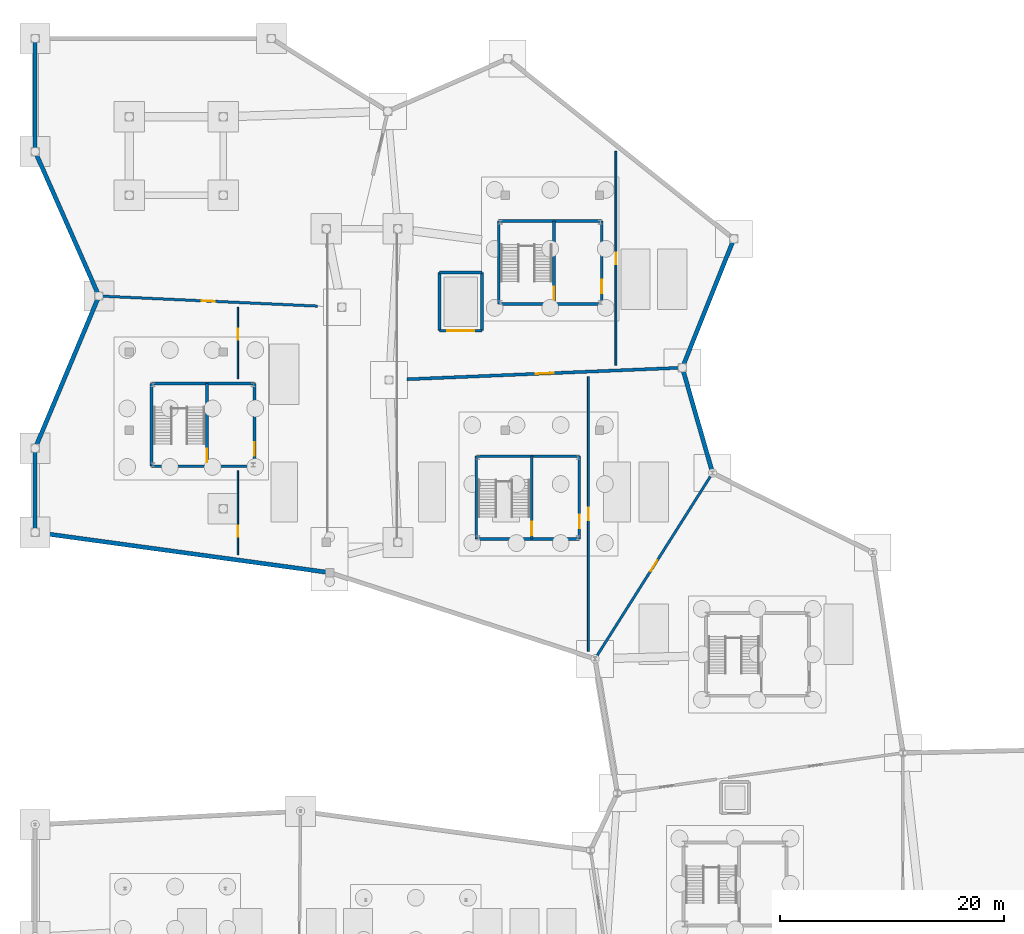
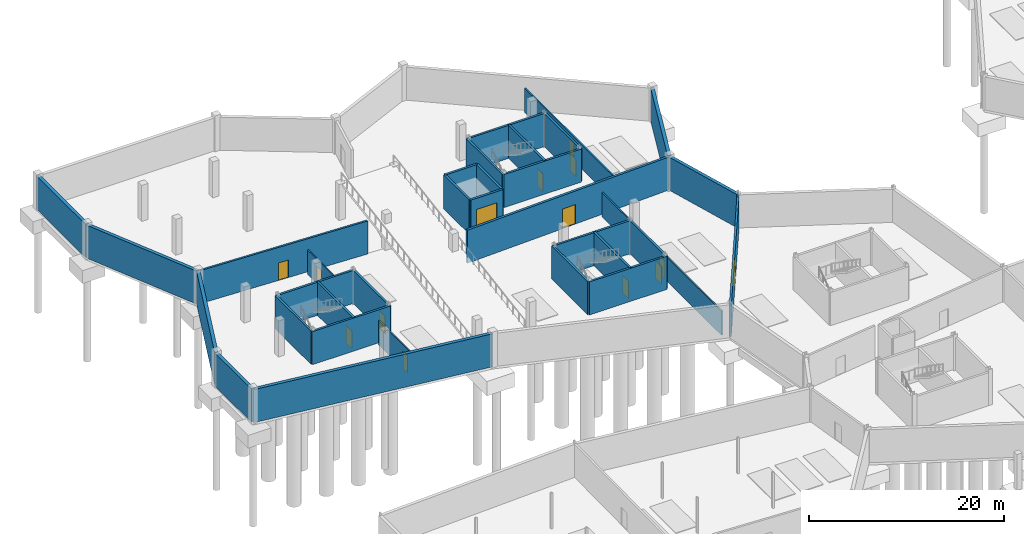
# One storey, part 28 of 37: 33 walls, 14 doors, 14 openings.
"""IFC4 building model written with IfcOpenShell, lengths in metres."""

from ifc_helpers import new_model, si_unit, direction, frame, frame_2d, origin, place, context, subcontext, project, spatial, rectangle, extrude, material, layer, layer_set, type_object, element, fill, save


model = new_model("IFC4")

# Units and contexts
model_context = context("Model", 3, precision=1e-05, world=origin(), true_north=direction((0.0, 1.0)))
body_context = subcontext(model_context, "Body", "Model", "MODEL_VIEW")
ifc_project = project(units=[si_unit("LENGTHUNIT", "METRE"), si_unit("AREAUNIT", "SQUARE_METRE"), si_unit("VOLUMEUNIT", "CUBIC_METRE"), si_unit("PLANEANGLEUNIT", "RADIAN"), si_unit("MASSUNIT", "GRAM", prefix="KILO")], contexts=[model_context])

# Site, building, storey
site_placement = place(None, origin())
site = spatial("IfcSite", under=ifc_project, at=site_placement, CompositionType="ELEMENT")
building_placement = place(site_placement, origin())
building = spatial("IfcBuilding", under=site, at=building_placement, Name="Tameran Prism Museum", CompositionType="ELEMENT")
storey_placement = place(building_placement, frame((0.0, 0.0, -4.5)))
storey = spatial("IfcBuildingStorey", under=building, at=storey_placement, Name="B1", CompositionType="ELEMENT", Elevation=-4.5)

# Walls
ifc_material_1 = material(Name="Concrete N40 (40 MPa)", Category="concrete")
ifc_layer_1 = layer(ifc_material_1, 0.3798828125)
ifc_layer_set_1 = layer_set([ifc_layer_1])
wall_type_1 = type_object("IfcWallType", Name="EW-RET-380", PredefinedType="USERDEFINED", material=ifc_layer_set_1)
wall_1_placement = place(storey_placement, frame((60.486083984375, 73.248046875, 0.0), z_axis=(0.0, 0.0, 1.0), x_axis=(-0.27604330243, 0.961145199844, 0.0)))
element("IfcWall", 1, at=wall_1_placement, inside=storey, type_object=wall_type_1, Name="Basement Retaining Wall RW-050", ObjectType="RETAININGWALL", PredefinedType="USERDEFINED", context=body_context, shape_type="SweptSolid", body=[
    extrude(rectangle(XDim=9.68017578125, YDim=0.3798828125, at=frame_2d((4.840087890625, 0.0))), origin(), (0.0, 0.0, 1.0), 4.139892578125),
])
wall_2_placement = place(storey_placement, frame((57.819091796875, 82.64599609375, 0.0), z_axis=(0.0, 0.0, 1.0), x_axis=(0.371332668442, 0.928499891948, 0.0)))
element("IfcWall", 2, at=wall_2_placement, inside=storey, type_object=wall_type_1, Name="Basement Retaining Wall RW-052", ObjectType="RETAININGWALL", PredefinedType="USERDEFINED", context=body_context, shape_type="SweptSolid", body=[
    extrude(rectangle(XDim=12.336181640625, YDim=0.3798828125, at=frame_2d((6.16796875, 0.0))), origin(), (0.0, 0.0, 1.0), 4.139892578125),
])
wall_3_placement = place(storey_placement, frame((0.0, 75.39990234375, 0.0), z_axis=(0.0, 0.0, 1.0), x_axis=(0.0, -1.0, 0.0)))
element("IfcWall", 3, at=wall_3_placement, inside=storey, type_object=wall_type_1, Name="Basement Retaining Wall RW-055", ObjectType="RETAININGWALL", PredefinedType="USERDEFINED", context=body_context, shape_type="SweptSolid", body=[
    extrude(rectangle(XDim=7.5, YDim=0.3798828125, at=frame_2d((3.75, 0.0))), origin(), (0.0, 0.0, 1.0), 4.139892578125),
])
wall_4_placement = place(storey_placement, frame((0.0, 67.89990234375, 0.0), z_axis=(0.0, 0.0, 1.0), x_axis=(0.990762647393, -0.135607435379, 0.0)))
element("IfcWall", 4, at=wall_4_placement, inside=storey, type_object=wall_type_1, Name="Basement Retaining Wall RW-056", ObjectType="RETAININGWALL", PredefinedType="USERDEFINED", context=body_context, shape_type="SweptSolid", body=[
    extrude(rectangle(XDim=26.49560546875, YDim=0.3798828125, at=frame_2d((13.247802734375, 0.0))), origin(), (0.0, 0.0, 1.0), 4.139892578125),
])
wall_5_placement = place(storey_placement, frame((5.680908203125, 88.9541015625, 0.0), z_axis=(0.0, 0.0, 1.0), x_axis=(-0.386546655602, -0.922269853699, 0.0)))
element("IfcWall", 5, at=wall_5_placement, inside=storey, type_object=wall_type_1, Name="Basement Retaining Wall RW-057", ObjectType="RETAININGWALL", PredefinedType="USERDEFINED", context=body_context, shape_type="SweptSolid", body=[
    extrude(rectangle(XDim=14.696533203125, YDim=0.3798828125, at=frame_2d((7.34814453125, 0.0))), origin(), (0.0, 0.0, 1.0), 4.139892578125),
])
wall_6_placement = place(storey_placement, frame((0.0, 112.0, 0.0), z_axis=(0.0, 0.0, 1.0), x_axis=(0.0, -1.0, 0.0)))
element("IfcWall", 6, at=wall_6_placement, inside=storey, type_object=wall_type_1, Name="Basement Retaining Wall RW-060", ObjectType="RETAININGWALL", PredefinedType="USERDEFINED", context=body_context, shape_type="SweptSolid", body=[
    extrude(rectangle(XDim=10.10009765625, YDim=0.3798828125, at=frame_2d((5.050048828125, 0.0))), origin(), (0.0, 0.0, 1.0), 4.139892578125),
])
wall_7_placement = place(storey_placement, frame((0.0, 101.89990234375, 0.0), z_axis=(0.0, 0.0, 1.0), x_axis=(0.404179059324, -0.914679882803, 0.0)))
element("IfcWall", 7, at=wall_7_placement, inside=storey, type_object=wall_type_1, Name="Basement Retaining Wall RW-061", ObjectType="RETAININGWALL", PredefinedType="USERDEFINED", context=body_context, shape_type="SweptSolid", body=[
    extrude(rectangle(XDim=14.052978515625, YDim=0.3798828125, at=frame_2d((7.0263671875, 0.0))), origin(), (0.0, 0.0, 1.0), 4.139892578125),
])

# Wall, opening, door
ifc_material_2 = material(Name="Concrete N40 (40 MPa)", Category="concrete")
ifc_layer_2 = layer(ifc_material_2, 0.22509765625)
ifc_layer_set_2 = layer_set([ifc_layer_2])
wall_type_2 = type_object("IfcWallType", Name="IW-CMP-225", PredefinedType="SOLIDWALL", material=ifc_layer_set_2)
wall_8_placement = place(storey_placement, frame((60.5, 73.199951171875, 0.0), z_axis=(0.0, 0.0, 1.0), x_axis=(-0.534570878454, -0.845123645338, 0.0)))
wall_8 = element("IfcWall", 8, at=wall_8_placement, inside=storey, type_object=wall_type_2, Name="Compartment Wall IW-0011", PredefinedType="SOLIDWALL", context=body_context, shape_type="SweptSolid", body=[
    extrude(rectangle(XDim=19.641845703125, YDim=0.22509765625, at=frame_2d((9.82080078125, 0.0))), origin(), (0.0, 0.0, 1.0), 4.139892578125),
])
opening_1_placement = place(wall_8_placement, frame((9.24609375, 0.0, 0.0)))
opening_1 = element("IfcOpeningElement", 9, at=opening_1_placement, cuts=wall_8, Name="Opening ID-0011", PredefinedType="OPENING", context=body_context, shape_type="SweptSolid", body=[
    extrude(rectangle(XDim=1.14990234375, YDim=2.199951171875, at=frame_2d((0.574951171875, 1.10009765625))), frame((0.0, 0.12255859375, 0.0), z_axis=(0.0, -1.0, 0.0), x_axis=(1.0, 0.0, 0.0)), (0.0, 0.0, 1.0), 0.2451171875),
])
ifc_material_3 = material(Name="Fire-Rated Steel Door Leaf and Frame", Category="steel")
door_type_1 = type_object("IfcDoorType", Name="DR-FD-120B", OperationType="NOTDEFINED", PredefinedType="DOOR", material=ifc_material_3)
door_1_placement = place(opening_1_placement, origin())
door_1 = element("IfcDoor", 10, at=door_1_placement, inside=storey, type_object=door_type_1, Name="Compartment Door ID-0011", OperationType="SINGLE_SWING_RIGHT", OverallHeight=2.199951171875, OverallWidth=1.14990234375, PredefinedType="DOOR", context=body_context, shape_type="SweptSolid", body=[
    extrude(rectangle(XDim=1.14990234375, YDim=2.199951171875, at=frame_2d((0.574951171875, 1.10009765625))), frame((0.0, 0.02490234375, 0.0), z_axis=(0.0, -1.0, 0.0), x_axis=(1.0, 0.0, 0.0)), (0.0, 0.0, 1.0), 0.050048828125),
])
fill(opening_1, door_1)

wall_9_placement = place(storey_placement, frame((25.199951171875, 88.10107421875, 0.0), z_axis=(0.0, 0.0, 1.0), x_axis=(-0.998939142773, 0.046049853812, 0.0)))
wall_9 = element("IfcWall", 11, at=wall_9_placement, inside=storey, type_object=wall_type_2, Name="Compartment Wall IW-0022", PredefinedType="SOLIDWALL", context=body_context, shape_type="SweptSolid", body=[
    extrude(rectangle(XDim=19.520751953125, YDim=0.22509765625, at=frame_2d((9.76025390625, 0.0))), origin(), (0.0, 0.0, 1.0), 4.139892578125),
])
opening_2_placement = place(wall_9_placement, frame((9.18505859375, 0.0, 0.0)))
opening_2 = element("IfcOpeningElement", 12, at=opening_2_placement, cuts=wall_9, Name="Opening ID-0021", PredefinedType="OPENING", context=body_context, shape_type="SweptSolid", body=[
    extrude(rectangle(XDim=1.14990234375, YDim=2.199951171875, at=frame_2d((0.574951171875, 1.10009765625))), frame((0.0, 0.12255859375, 0.0), z_axis=(0.0, -1.0, 0.0), x_axis=(1.0, 0.0, 0.0)), (0.0, 0.0, 1.0), 0.2451171875),
])
door_2_placement = place(opening_2_placement, origin())
door_2 = element("IfcDoor", 13, at=door_2_placement, inside=storey, type_object=door_type_1, Name="Compartment Door ID-0021", OperationType="SINGLE_SWING_RIGHT", OverallHeight=2.199951171875, OverallWidth=1.14990234375, PredefinedType="DOOR", context=body_context, shape_type="SweptSolid", body=[
    extrude(rectangle(XDim=1.14990234375, YDim=2.199951171875, at=frame_2d((0.574951171875, 1.10009765625))), frame((0.0, 0.02490234375, 0.0), z_axis=(0.0, -1.0, 0.0), x_axis=(1.0, 0.0, 0.0)), (0.0, 0.0, 1.0), 0.050048828125),
])
fill(opening_2, door_2)

ifc_material_4 = material(Name="Concrete N40 (40 MPa)", Category="concrete")
ifc_layer_3 = layer(ifc_material_4, 0.27490234375)
ifc_layer_set_3 = layer_set([ifc_layer_3])
wall_type_3 = type_object("IfcWallType", Name="IW-CMP-275", PredefinedType="SOLIDWALL", material=ifc_layer_set_3)
wall_10_placement = place(storey_placement, frame((57.800048828125, 82.60009765625, 0.0), z_axis=(0.0, 0.0, 1.0), x_axis=(-0.999119166836, -0.041962965345, 0.0)))
wall_10 = element("IfcWall", 14, at=wall_10_placement, inside=storey, type_object=wall_type_3, Name="Compartment Wall IW-0020", PredefinedType="SOLIDWALL", context=body_context, shape_type="SweptSolid", body=[
    extrude(rectangle(XDim=24.621826171875, YDim=0.27490234375, at=frame_2d((12.31103515625, 0.0))), origin(), (0.0, 0.0, 1.0), 4.139892578125),
])
opening_3_placement = place(wall_10_placement, frame((11.510986328125, 0.0, 0.0)))
opening_3 = element("IfcOpeningElement", 15, at=opening_3_placement, cuts=wall_10, Name="Opening ID-0019", PredefinedType="OPENING", context=body_context, shape_type="SweptSolid", body=[
    extrude(rectangle(XDim=1.60009765625, YDim=2.449951171875, at=frame_2d((0.800048828125, 1.22509765625))), frame((0.0, 0.1474609375, 0.0), z_axis=(0.0, -1.0, 0.0), x_axis=(1.0, 0.0, 0.0)), (0.0, 0.0, 1.0), 0.294921875),
])
ifc_material_5 = material(Name="Fire-Rated Steel Door Leaf and Frame", Category="steel")
door_type_2 = type_object("IfcDoorType", Name="DR-FD-240", OperationType="DOUBLE_DOOR_SINGLE_SWING", PredefinedType="DOOR", material=ifc_material_5)
door_3_placement = place(opening_3_placement, origin())
door_3 = element("IfcDoor", 16, at=door_3_placement, inside=storey, type_object=door_type_2, Name="Compartment Door ID-0019", OperationType="DOUBLE_DOOR_SINGLE_SWING", OverallHeight=2.449951171875, OverallWidth=1.60009765625, PredefinedType="DOOR", context=body_context, shape_type="SweptSolid", body=[
    extrude(rectangle(XDim=1.60009765625, YDim=2.449951171875, at=frame_2d((0.800048828125, 1.22509765625))), frame((0.0, 0.02490234375, 0.0), z_axis=(0.0, -1.0, 0.0), x_axis=(1.0, 0.0, 0.0)), (0.0, 0.0, 1.0), 0.050048828125),
])
fill(opening_3, door_3)

# Walls
ifc_material_6 = material(Name="Concrete N40 (40 MPa)", Category="concrete")
ifc_layer_4 = layer(ifc_material_6, 0.25)
ifc_layer_set_4 = layer_set([ifc_layer_4])
wall_type_4 = type_object("IfcWallType", Name="IW-COR-250", PredefinedType="SHEAR", material=ifc_layer_set_4)
wall_11_placement = place(storey_placement, frame((39.39990234375, 67.300048828125, 0.0), z_axis=(0.0, 0.0, 1.0), x_axis=(0.0, 1.0, 0.0)))
element("IfcWall", 17, at=wall_11_placement, inside=storey, type_object=wall_type_4, Name="Core Shear Wall CW-5-B1-W", PredefinedType="SHEAR", context=body_context, shape_type="SweptSolid", body=[
    extrude(rectangle(XDim=7.39990234375, YDim=0.25, at=frame_2d((3.699951171875, 0.0))), origin(), (0.0, 0.0, 1.0), 4.139892578125),
])
for number, where, z_axis, x_axis, name in (
    (18, (39.39990234375, 74.699951171875, 0.0), (0.0, 0.0, 1.0), (1.0, 0.0, 0.0), "Core Shear Wall CW-5-B1-N"),
    (19, (48.60009765625, 67.300048828125, 0.0), (0.0, 0.0, 1.0), (-1.0, 0.0, 0.0), "Core Shear Wall CW-5-B1-S"),
):
    element("IfcWall", number, at=place(storey_placement, frame(where, z_axis=z_axis, x_axis=x_axis)), inside=storey, type_object=wall_type_4, Name=name, PredefinedType="SHEAR", context=body_context, shape_type="SweptSolid", body=[
        extrude(rectangle(XDim=9.2001953125, YDim=0.25, at=frame_2d((4.60009765625, 0.0))), origin(), (0.0, 0.0, 1.0), 4.139892578125),
    ])

# Wall, opening, door
wall_12_placement = place(storey_placement, frame((48.60009765625, 74.699951171875, 0.0), z_axis=(0.0, 0.0, 1.0), x_axis=(0.0, -1.0, 0.0)))
wall_12 = element("IfcWall", 20, at=wall_12_placement, inside=storey, type_object=wall_type_4, Name="Core Shear Wall CW-5-B1-E", PredefinedType="SHEAR", context=body_context, shape_type="SweptSolid", body=[
    extrude(rectangle(XDim=7.39990234375, YDim=0.25, at=frame_2d((3.699951171875, 0.0))), origin(), (0.0, 0.0, 1.0), 4.139892578125),
])
opening_4_placement = place(wall_12_placement, frame((5.25, 0.0, 0.0)))
opening_4 = element("IfcOpeningElement", 21, at=opening_4_placement, cuts=wall_12, Name="Opening FD-0243", PredefinedType="OPENING", context=body_context, shape_type="SweptSolid", body=[
    extrude(rectangle(XDim=1.199951171875, YDim=2.199951171875, at=frame_2d((0.60009765625, 1.10009765625))), frame((0.0, 0.135009765625, 0.0), z_axis=(0.0, -1.0, 0.0), x_axis=(1.0, 0.0, 0.0)), (0.0, 0.0, 1.0), 0.27001953125),
])
ifc_material_7 = material(Name="Fire-Rated Steel Door Leaf and Frame", Category="steel")
door_type_3 = type_object("IfcDoorType", Name="DR-FD-120A", OperationType="NOTDEFINED", PredefinedType="DOOR", material=ifc_material_7)
door_4_placement = place(opening_4_placement, origin())
door_4 = element("IfcDoor", 22, at=door_4_placement, inside=storey, type_object=door_type_3, Name="Core Fire Door FD-0243", OperationType="SINGLE_SWING_LEFT", OverallHeight=2.199951171875, OverallWidth=1.199951171875, PredefinedType="DOOR", context=body_context, shape_type="SweptSolid", body=[
    extrude(rectangle(XDim=1.199951171875, YDim=2.199951171875, at=frame_2d((0.60009765625, 1.10009765625))), frame((0.0, 0.02490234375, 0.0), z_axis=(0.0, -1.0, 0.0), x_axis=(1.0, 0.0, 0.0)), (0.0, 0.0, 1.0), 0.050048828125),
])
fill(opening_4, door_4)

wall_13_placement = place(storey_placement, frame((44.35009765625, 74.699951171875, 0.0), z_axis=(0.0, 0.0, 1.0), x_axis=(0.0, -1.0, 0.0)))
wall_13 = element("IfcWall", 23, at=wall_13_placement, inside=storey, type_object=wall_type_4, Name="Core Shear Wall CW-5-B1-M", PredefinedType="SHEAR", context=body_context, shape_type="SweptSolid", body=[
    extrude(rectangle(XDim=7.39990234375, YDim=0.25, at=frame_2d((3.699951171875, 0.0))), origin(), (0.0, 0.0, 1.0), 4.139892578125),
])
opening_5_placement = place(wall_13_placement, frame((5.85009765625, 0.0, 0.0)))
opening_5 = element("IfcOpeningElement", 24, at=opening_5_placement, cuts=wall_13, Name="Opening FD-0244", PredefinedType="OPENING", context=body_context, shape_type="SweptSolid", body=[
    extrude(rectangle(XDim=1.199951171875, YDim=2.199951171875, at=frame_2d((0.60009765625, 1.10009765625))), frame((0.0, 0.135009765625, 0.0), z_axis=(0.0, -1.0, 0.0), x_axis=(1.0, 0.0, 0.0)), (0.0, 0.0, 1.0), 0.27001953125),
])
door_5_placement = place(opening_5_placement, origin())
door_5 = element("IfcDoor", 25, at=door_5_placement, inside=storey, type_object=door_type_3, Name="Core Fire Door FD-0244", OperationType="SINGLE_SWING_RIGHT", OverallHeight=2.199951171875, OverallWidth=1.199951171875, PredefinedType="DOOR", context=body_context, shape_type="SweptSolid", body=[
    extrude(rectangle(XDim=1.199951171875, YDim=2.199951171875, at=frame_2d((0.60009765625, 1.10009765625))), frame((0.0, 0.02490234375, 0.0), z_axis=(0.0, -1.0, 0.0), x_axis=(1.0, 0.0, 0.0)), (0.0, 0.0, 1.0), 0.050048828125),
])
fill(opening_5, door_5)

# Walls
wall_14_placement = place(storey_placement, frame((10.39990234375, 73.800048828125, 0.0), z_axis=(0.0, 0.0, 1.0), x_axis=(0.0, 1.0, 0.0)))
element("IfcWall", 26, at=wall_14_placement, inside=storey, type_object=wall_type_4, Name="Core Shear Wall CW-9-B1-W", PredefinedType="SHEAR", context=body_context, shape_type="SweptSolid", body=[
    extrude(rectangle(XDim=7.39990234375, YDim=0.25, at=frame_2d((3.699951171875, 0.0))), origin(), (0.0, 0.0, 1.0), 4.139892578125),
])
for number, where, z_axis, x_axis, name in (
    (27, (10.39990234375, 81.199951171875, 0.0), (0.0, 0.0, 1.0), (1.0, 0.0, 0.0), "Core Shear Wall CW-9-B1-N"),
    (28, (19.60009765625, 73.800048828125, 0.0), (0.0, 0.0, 1.0), (-1.0, 0.0, 0.0), "Core Shear Wall CW-9-B1-S"),
):
    element("IfcWall", number, at=place(storey_placement, frame(where, z_axis=z_axis, x_axis=x_axis)), inside=storey, type_object=wall_type_4, Name=name, PredefinedType="SHEAR", context=body_context, shape_type="SweptSolid", body=[
        extrude(rectangle(XDim=9.2001953125, YDim=0.25, at=frame_2d((4.60009765625, 0.0))), origin(), (0.0, 0.0, 1.0), 4.139892578125),
    ])

# Wall, opening, door
wall_15_placement = place(storey_placement, frame((19.60009765625, 81.199951171875, 0.0), z_axis=(0.0, 0.0, 1.0), x_axis=(0.0, -1.0, 0.0)))
wall_15 = element("IfcWall", 29, at=wall_15_placement, inside=storey, type_object=wall_type_4, Name="Core Shear Wall CW-9-B1-E", PredefinedType="SHEAR", context=body_context, shape_type="SweptSolid", body=[
    extrude(rectangle(XDim=7.39990234375, YDim=0.25, at=frame_2d((3.699951171875, 0.0))), origin(), (0.0, 0.0, 1.0), 4.139892578125),
])
opening_6_placement = place(wall_15_placement, frame((5.25, 0.0, 0.0)))
opening_6 = element("IfcOpeningElement", 30, at=opening_6_placement, cuts=wall_15, Name="Opening FD-0259", PredefinedType="OPENING", context=body_context, shape_type="SweptSolid", body=[
    extrude(rectangle(XDim=1.199951171875, YDim=2.199951171875, at=frame_2d((0.60009765625, 1.10009765625))), frame((0.0, 0.135009765625, 0.0), z_axis=(0.0, -1.0, 0.0), x_axis=(1.0, 0.0, 0.0)), (0.0, 0.0, 1.0), 0.27001953125),
])
door_6_placement = place(opening_6_placement, origin())
door_6 = element("IfcDoor", 31, at=door_6_placement, inside=storey, type_object=door_type_3, Name="Core Fire Door FD-0259", OperationType="SINGLE_SWING_LEFT", OverallHeight=2.199951171875, OverallWidth=1.199951171875, PredefinedType="DOOR", context=body_context, shape_type="SweptSolid", body=[
    extrude(rectangle(XDim=1.199951171875, YDim=2.199951171875, at=frame_2d((0.60009765625, 1.10009765625))), frame((0.0, 0.02490234375, 0.0), z_axis=(0.0, -1.0, 0.0), x_axis=(1.0, 0.0, 0.0)), (0.0, 0.0, 1.0), 0.050048828125),
])
fill(opening_6, door_6)

wall_16_placement = place(storey_placement, frame((15.35009765625, 81.199951171875, 0.0), z_axis=(0.0, 0.0, 1.0), x_axis=(0.0, -1.0, 0.0)))
wall_16 = element("IfcWall", 32, at=wall_16_placement, inside=storey, type_object=wall_type_4, Name="Core Shear Wall CW-9-B1-M", PredefinedType="SHEAR", context=body_context, shape_type="SweptSolid", body=[
    extrude(rectangle(XDim=7.39990234375, YDim=0.25, at=frame_2d((3.699951171875, 0.0))), origin(), (0.0, 0.0, 1.0), 4.139892578125),
])
opening_7_placement = place(wall_16_placement, frame((5.85009765625, 0.0, 0.0)))
opening_7 = element("IfcOpeningElement", 33, at=opening_7_placement, cuts=wall_16, Name="Opening FD-0260", PredefinedType="OPENING", context=body_context, shape_type="SweptSolid", body=[
    extrude(rectangle(XDim=1.199951171875, YDim=2.199951171875, at=frame_2d((0.60009765625, 1.10009765625))), frame((0.0, 0.135009765625, 0.0), z_axis=(0.0, -1.0, 0.0), x_axis=(1.0, 0.0, 0.0)), (0.0, 0.0, 1.0), 0.27001953125),
])
door_7_placement = place(opening_7_placement, origin())
door_7 = element("IfcDoor", 34, at=door_7_placement, inside=storey, type_object=door_type_3, Name="Core Fire Door FD-0260", OperationType="SINGLE_SWING_RIGHT", OverallHeight=2.199951171875, OverallWidth=1.199951171875, PredefinedType="DOOR", context=body_context, shape_type="SweptSolid", body=[
    extrude(rectangle(XDim=1.199951171875, YDim=2.199951171875, at=frame_2d((0.60009765625, 1.10009765625))), frame((0.0, 0.02490234375, 0.0), z_axis=(0.0, -1.0, 0.0), x_axis=(1.0, 0.0, 0.0)), (0.0, 0.0, 1.0), 0.050048828125),
])
fill(opening_7, door_7)

# Walls
wall_17_placement = place(storey_placement, frame((41.39990234375, 88.300048828125, 0.0), z_axis=(0.0, 0.0, 1.0), x_axis=(0.0, 1.0, 0.0)))
element("IfcWall", 35, at=wall_17_placement, inside=storey, type_object=wall_type_4, Name="Core Shear Wall CW-14-B1-W", PredefinedType="SHEAR", context=body_context, shape_type="SweptSolid", body=[
    extrude(rectangle(XDim=7.39990234375, YDim=0.25, at=frame_2d((3.699951171875, 0.0))), origin(), (0.0, 0.0, 1.0), 4.139892578125),
])
for number, where, z_axis, x_axis, name in (
    (36, (41.39990234375, 95.699951171875, 0.0), (0.0, 0.0, 1.0), (1.0, 0.0, 0.0), "Core Shear Wall CW-14-B1-N"),
    (37, (50.60009765625, 88.300048828125, 0.0), (0.0, 0.0, 1.0), (-1.0, 0.0, 0.0), "Core Shear Wall CW-14-B1-S"),
):
    element("IfcWall", number, at=place(storey_placement, frame(where, z_axis=z_axis, x_axis=x_axis)), inside=storey, type_object=wall_type_4, Name=name, PredefinedType="SHEAR", context=body_context, shape_type="SweptSolid", body=[
        extrude(rectangle(XDim=9.2001953125, YDim=0.25, at=frame_2d((4.60009765625, 0.0))), origin(), (0.0, 0.0, 1.0), 4.139892578125),
    ])

# Wall, opening, door
wall_18_placement = place(storey_placement, frame((50.60009765625, 95.699951171875, 0.0), z_axis=(0.0, 0.0, 1.0), x_axis=(0.0, -1.0, 0.0)))
wall_18 = element("IfcWall", 38, at=wall_18_placement, inside=storey, type_object=wall_type_4, Name="Core Shear Wall CW-14-B1-E", PredefinedType="SHEAR", context=body_context, shape_type="SweptSolid", body=[
    extrude(rectangle(XDim=7.39990234375, YDim=0.25, at=frame_2d((3.699951171875, 0.0))), origin(), (0.0, 0.0, 1.0), 4.139892578125),
])
opening_8_placement = place(wall_18_placement, frame((5.25, 0.0, 0.0)))
opening_8 = element("IfcOpeningElement", 39, at=opening_8_placement, cuts=wall_18, Name="Opening FD-0287", PredefinedType="OPENING", context=body_context, shape_type="SweptSolid", body=[
    extrude(rectangle(XDim=1.199951171875, YDim=2.199951171875, at=frame_2d((0.60009765625, 1.10009765625))), frame((0.0, 0.135009765625, 0.0), z_axis=(0.0, -1.0, 0.0), x_axis=(1.0, 0.0, 0.0)), (0.0, 0.0, 1.0), 0.27001953125),
])
door_8_placement = place(opening_8_placement, origin())
door_8 = element("IfcDoor", 40, at=door_8_placement, inside=storey, type_object=door_type_3, Name="Core Fire Door FD-0287", OperationType="SINGLE_SWING_LEFT", OverallHeight=2.199951171875, OverallWidth=1.199951171875, PredefinedType="DOOR", context=body_context, shape_type="SweptSolid", body=[
    extrude(rectangle(XDim=1.199951171875, YDim=2.199951171875, at=frame_2d((0.60009765625, 1.10009765625))), frame((0.0, 0.02490234375, 0.0), z_axis=(0.0, -1.0, 0.0), x_axis=(1.0, 0.0, 0.0)), (0.0, 0.0, 1.0), 0.050048828125),
])
fill(opening_8, door_8)

wall_19_placement = place(storey_placement, frame((46.35009765625, 95.699951171875, 0.0), z_axis=(0.0, 0.0, 1.0), x_axis=(0.0, -1.0, 0.0)))
wall_19 = element("IfcWall", 41, at=wall_19_placement, inside=storey, type_object=wall_type_4, Name="Core Shear Wall CW-14-B1-M", PredefinedType="SHEAR", context=body_context, shape_type="SweptSolid", body=[
    extrude(rectangle(XDim=7.39990234375, YDim=0.25, at=frame_2d((3.699951171875, 0.0))), origin(), (0.0, 0.0, 1.0), 4.139892578125),
])
opening_9_placement = place(wall_19_placement, frame((5.85009765625, 0.0, 0.0)))
opening_9 = element("IfcOpeningElement", 42, at=opening_9_placement, cuts=wall_19, Name="Opening FD-0288", PredefinedType="OPENING", context=body_context, shape_type="SweptSolid", body=[
    extrude(rectangle(XDim=1.199951171875, YDim=2.199951171875, at=frame_2d((0.60009765625, 1.10009765625))), frame((0.0, 0.135009765625, 0.0), z_axis=(0.0, -1.0, 0.0), x_axis=(1.0, 0.0, 0.0)), (0.0, 0.0, 1.0), 0.27001953125),
])
door_9_placement = place(opening_9_placement, origin())
door_9 = element("IfcDoor", 43, at=door_9_placement, inside=storey, type_object=door_type_3, Name="Core Fire Door FD-0288", OperationType="SINGLE_SWING_RIGHT", OverallHeight=2.199951171875, OverallWidth=1.199951171875, PredefinedType="DOOR", context=body_context, shape_type="SweptSolid", body=[
    extrude(rectangle(XDim=1.199951171875, YDim=2.199951171875, at=frame_2d((0.60009765625, 1.10009765625))), frame((0.0, 0.02490234375, 0.0), z_axis=(0.0, -1.0, 0.0), x_axis=(1.0, 0.0, 0.0)), (0.0, 0.0, 1.0), 0.050048828125),
])
fill(opening_9, door_9)

ifc_material_8 = material(Name="Acoustic Seminar Stud Partition")
ifc_layer_5 = layer(ifc_material_8, 0.139892578125)
ifc_layer_set_5 = layer_set([ifc_layer_5])
wall_type_5 = type_object("IfcWallType", Name="IW-PRT-140", PredefinedType="PARTITIONING", material=ifc_layer_set_5)
wall_20_placement = place(storey_placement, frame((18.10595703125, 81.60009765625, 0.0), z_axis=(0.0, 0.0, 1.0), x_axis=(0.0, 1.0, 0.0)))
wall_20 = element("IfcWall", 44, at=wall_20_placement, inside=storey, type_object=wall_type_5, Name="Internal Partition PT-0028", PredefinedType="PARTITIONING", context=body_context, shape_type="SweptSolid", body=[
    extrude(rectangle(XDim=6.3779296875, YDim=0.139892578125, at=frame_2d((3.18896484375, 0.0))), origin(), (0.0, 0.0, 1.0), 3.02001953125),
])
opening_10_placement = place(wall_20_placement, frame((3.509033203125, 0.0, 0.0)))
opening_10 = element("IfcOpeningElement", 45, at=opening_10_placement, cuts=wall_20, Name="Opening ID-0027", PredefinedType="OPENING", context=body_context, shape_type="SweptSolid", body=[
    extrude(rectangle(XDim=0.97998046875, YDim=2.14990234375, at=frame_2d((0.489990234375, 1.074951171875))), frame((0.0, 0.079833984375, 0.0), z_axis=(0.0, -1.0, 0.0), x_axis=(1.0, 0.0, 0.0)), (0.0, 0.0, 1.0), 0.159912109375),
])
ifc_material_9 = material(Name="Acoustic Solid-Core Timber Door", Category="wood")
door_type_4 = type_object("IfcDoorType", Name="DR-INT-098", OperationType="NOTDEFINED", PredefinedType="DOOR", material=ifc_material_9)
door_10_placement = place(opening_10_placement, origin())
door_10 = element("IfcDoor", 46, at=door_10_placement, inside=storey, type_object=door_type_4, Name="Interior Room Door ID-0027", OperationType="SINGLE_SWING_RIGHT", OverallHeight=2.14990234375, OverallWidth=0.97998046875, PredefinedType="DOOR", context=body_context, shape_type="SweptSolid", body=[
    extrude(rectangle(XDim=0.97998046875, YDim=2.14990234375, at=frame_2d((0.489990234375, 1.074951171875))), frame((0.0, 0.02490234375, 0.0), z_axis=(0.0, -1.0, 0.0), x_axis=(1.0, 0.0, 0.0)), (0.0, 0.0, 1.0), 0.050048828125),
])
fill(opening_10, door_10)

ifc_material_10 = material(Name="Laboratory Moisture-Resistant Partition")
ifc_layer_6 = layer(ifc_material_10, 0.14990234375)
ifc_layer_set_6 = layer_set([ifc_layer_6])
wall_type_6 = type_object("IfcWallType", Name="IW-PRT-150", PredefinedType="PARTITIONING", material=ifc_layer_set_6)
wall_21_placement = place(storey_placement, frame((18.10595703125, 65.8759765625, 0.0), z_axis=(0.0, 0.0, 1.0), x_axis=(0.0, 1.0, 0.0)))
wall_21 = element("IfcWall", 47, at=wall_21_placement, inside=storey, type_object=wall_type_6, Name="Internal Partition PT-0027", PredefinedType="PARTITIONING", context=body_context, shape_type="SweptSolid", body=[
    extrude(rectangle(XDim=7.52392578125, YDim=0.14990234375, at=frame_2d((3.761962890625, 0.0))), origin(), (0.0, 0.0, 1.0), 3.02001953125),
])
opening_11_placement = place(wall_21_placement, frame((1.631103515625, 0.0, 0.0)))
opening_11 = element("IfcOpeningElement", 48, at=opening_11_placement, cuts=wall_21, Name="Opening ID-0026", PredefinedType="OPENING", context=body_context, shape_type="SweptSolid", body=[
    extrude(rectangle(XDim=1.0, YDim=2.14990234375, at=frame_2d((0.5, 1.074951171875))), frame((0.0, 0.0849609375, 0.0), z_axis=(0.0, -1.0, 0.0), x_axis=(1.0, 0.0, 0.0)), (0.0, 0.0, 1.0), 0.169921875),
])
ifc_material_11 = material(Name="Acoustic Solid-Core Timber Door", Category="wood")
door_type_5 = type_object("IfcDoorType", Name="DR-INT-100", OperationType="NOTDEFINED", PredefinedType="DOOR", material=ifc_material_11)
door_11_placement = place(opening_11_placement, origin())
door_11 = element("IfcDoor", 49, at=door_11_placement, inside=storey, type_object=door_type_5, Name="Interior Room Door ID-0026", OperationType="SINGLE_SWING_LEFT", OverallHeight=2.14990234375, OverallWidth=1.0, PredefinedType="DOOR", context=body_context, shape_type="SweptSolid", body=[
    extrude(rectangle(XDim=1.0, YDim=2.14990234375, at=frame_2d((0.5, 1.074951171875))), frame((0.0, 0.02490234375, 0.0), z_axis=(0.0, -1.0, 0.0), x_axis=(1.0, 0.0, 0.0)), (0.0, 0.0, 1.0), 0.050048828125),
])
fill(opening_11, door_11)

ifc_material_12 = material(Name="Fire-Rated Corridor Stud Partition")
ifc_layer_7 = layer(ifc_material_12, 0.159912109375)
ifc_layer_set_7 = layer_set([ifc_layer_7])
wall_type_7 = type_object("IfcWallType", Name="IW-PRT-160", PredefinedType="PARTITIONING", material=ifc_layer_set_7)
wall_22_placement = place(storey_placement, frame((51.864013671875, 82.801025390625, 0.0), z_axis=(0.0, 0.0, 1.0), x_axis=(0.0, 1.0, 0.0)))
wall_22 = element("IfcWall", 50, at=wall_22_placement, inside=storey, type_object=wall_type_7, Name="Internal Partition PT-0026", PredefinedType="PARTITIONING", context=body_context, shape_type="SweptSolid", body=[
    extrude(rectangle(XDim=19.12109375, YDim=0.159912109375, at=frame_2d((9.560546875, 0.0))), origin(), (0.0, 0.0, 1.0), 3.02001953125),
])
opening_12_placement = place(wall_22_placement, frame((9.034912109375, 0.0, 0.0)))
opening_12 = element("IfcOpeningElement", 51, at=opening_12_placement, cuts=wall_22, Name="Opening ID-0025", PredefinedType="OPENING", context=body_context, shape_type="SweptSolid", body=[
    extrude(rectangle(XDim=1.050048828125, YDim=2.199951171875, at=frame_2d((0.52490234375, 1.10009765625))), frame((0.0, 0.08984375, 0.0), z_axis=(0.0, -1.0, 0.0), x_axis=(1.0, 0.0, 0.0)), (0.0, 0.0, 1.0), 0.179931640625),
])
ifc_material_13 = material(Name="Fire-Rated Steel Door Leaf and Frame", Category="steel")
door_type_6 = type_object("IfcDoorType", Name="DR-INT-105", OperationType="NOTDEFINED", PredefinedType="DOOR", material=ifc_material_13)
door_12_placement = place(opening_12_placement, origin())
door_12 = element("IfcDoor", 52, at=door_12_placement, inside=storey, type_object=door_type_6, Name="Interior Room Door ID-0025", OperationType="SINGLE_SWING_RIGHT", OverallHeight=2.199951171875, OverallWidth=1.050048828125, PredefinedType="DOOR", context=body_context, shape_type="SweptSolid", body=[
    extrude(rectangle(XDim=1.050048828125, YDim=2.199951171875, at=frame_2d((0.52490234375, 1.10009765625))), frame((0.0, 0.02490234375, 0.0), z_axis=(0.0, -1.0, 0.0), x_axis=(1.0, 0.0, 0.0)), (0.0, 0.0, 1.0), 0.050048828125),
])
fill(opening_12, door_12)

ifc_material_14 = material(Name="Gallery Plywood-Backed Stud Partition", Category="wood")
ifc_layer_8 = layer(ifc_material_14, 0.169921875)
ifc_layer_set_8 = layer_set([ifc_layer_8])
wall_type_8 = type_object("IfcWallType", Name="IW-PRT-170", PredefinedType="PARTITIONING", material=ifc_layer_set_8)
wall_23_placement = place(storey_placement, frame((49.403076171875, 57.26708984375, 0.0), z_axis=(0.0, 0.0, 1.0), x_axis=(0.0, 1.0, 0.0)))
wall_23 = element("IfcWall", 53, at=wall_23_placement, inside=storey, type_object=wall_type_8, Name="Internal Partition PT-0025", PredefinedType="PARTITIONING", context=body_context, shape_type="SweptSolid", body=[
    extrude(rectangle(XDim=24.530029296875, YDim=0.169921875, at=frame_2d((12.26513671875, 0.0))), origin(), (0.0, 0.0, 1.0), 3.02001953125),
])
opening_13_placement = place(wall_23_placement, frame((11.715087890625, 0.0, 0.0)))
opening_13 = element("IfcOpeningElement", 54, at=opening_13_placement, cuts=wall_23, Name="Opening ID-0024", PredefinedType="OPENING", context=body_context, shape_type="SweptSolid", body=[
    extrude(rectangle(XDim=1.10009765625, YDim=2.199951171875, at=frame_2d((0.550048828125, 1.10009765625))), frame((0.0, 0.094970703125, 0.0), z_axis=(0.0, -1.0, 0.0), x_axis=(1.0, 0.0, 0.0)), (0.0, 0.0, 1.0), 0.18994140625),
])
ifc_material_15 = material(Name="Fire-Rated Steel Door Leaf and Frame", Category="steel")
door_type_7 = type_object("IfcDoorType", Name="DR-INT-110", OperationType="NOTDEFINED", PredefinedType="DOOR", material=ifc_material_15)
door_13_placement = place(opening_13_placement, origin())
door_13 = element("IfcDoor", 55, at=door_13_placement, inside=storey, type_object=door_type_7, Name="Interior Room Door ID-0024", OperationType="SINGLE_SWING_LEFT", OverallHeight=2.199951171875, OverallWidth=1.10009765625, PredefinedType="DOOR", context=body_context, shape_type="SweptSolid", body=[
    extrude(rectangle(XDim=1.10009765625, YDim=2.199951171875, at=frame_2d((0.550048828125, 1.10009765625))), frame((0.0, 0.02490234375, 0.0), z_axis=(0.0, -1.0, 0.0), x_axis=(1.0, 0.0, 0.0)), (0.0, 0.0, 1.0), 0.050048828125),
])
fill(opening_13, door_13)

# Walls
ifc_material_16 = material(Name="Concrete N50 (50 MPa)", Category="concrete")
ifc_layer_9 = layer(ifc_material_16, 0.260009765625)
ifc_layer_set_9 = layer_set([ifc_layer_9])
wall_type_9 = type_object("IfcWallType", Name="IW-SHF-260", PredefinedType="SHEAR", material=ifc_layer_set_9)
wall_24_placement = place(storey_placement, frame((36.10009765625, 91.10009765625, 0.0), z_axis=(0.0, 0.0, 1.0), x_axis=(1.0, 0.0, 0.0)))
element("IfcWall", 56, at=wall_24_placement, inside=storey, type_object=wall_type_9, Name="Lift Shaft Wall LW-GL01-B1N", PredefinedType="SHEAR", context=body_context, shape_type="SweptSolid", body=[
    extrude(rectangle(XDim=3.7998046875, YDim=0.260009765625, at=frame_2d((1.89990234375, 0.0))), origin(), (0.0, 0.0, 1.0), 4.260009765625),
])
for number, where, z_axis, x_axis, name in (
    (57, (39.89990234375, 91.10009765625, 0.0), (0.0, 0.0, 1.0), (0.0, -1.0, 0.0), "Lift Shaft Wall LW-GL01-B1E"),
    (58, (36.10009765625, 85.89990234375, 0.0), (0.0, 0.0, 1.0), (0.0, 1.0, 0.0), "Lift Shaft Wall LW-GL01-B1W"),
):
    element("IfcWall", number, at=place(storey_placement, frame(where, z_axis=z_axis, x_axis=x_axis)), inside=storey, type_object=wall_type_9, Name=name, PredefinedType="SHEAR", context=body_context, shape_type="SweptSolid", body=[
        extrude(rectangle(XDim=5.2001953125, YDim=0.260009765625, at=frame_2d((2.60009765625, 0.0))), origin(), (0.0, 0.0, 1.0), 4.260009765625),
    ])

# Wall, opening, door
wall_25_placement = place(storey_placement, frame((39.89990234375, 85.89990234375, 0.0), z_axis=(0.0, 0.0, 1.0), x_axis=(-1.0, 0.0, 0.0)))
wall_25 = element("IfcWall", 59, at=wall_25_placement, inside=storey, type_object=wall_type_9, Name="Lift Shaft Wall LW-GL01-B1S", PredefinedType="SHEAR", context=body_context, shape_type="SweptSolid", body=[
    extrude(rectangle(XDim=3.7998046875, YDim=0.260009765625, at=frame_2d((1.89990234375, 0.0))), origin(), (0.0, 0.0, 1.0), 4.260009765625),
])
opening_14_placement = place(wall_25_placement, frame((0.699951171875, 0.0, 0.0)))
opening_14 = element("IfcOpeningElement", 60, at=opening_14_placement, cuts=wall_25, Name="Opening LD-GL01-B1", PredefinedType="OPENING", context=body_context, shape_type="SweptSolid", body=[
    extrude(rectangle(XDim=2.39990234375, YDim=2.85009765625, at=frame_2d((1.199951171875, 1.425048828125))), frame((0.0, 0.139892578125, 0.0), z_axis=(0.0, -1.0, 0.0), x_axis=(1.0, 0.0, 0.0)), (0.0, 0.0, 1.0), 0.280029296875),
])
ifc_material_17 = material(Name="Fire-Rated Steel Door Leaf and Frame", Category="steel")
door_type_8 = type_object("IfcDoorType", Name="DR-LD-GL", OperationType="SLIDING_TO_LEFT", PredefinedType="DOOR", material=ifc_material_17)
door_14_placement = place(opening_14_placement, origin())
door_14 = element("IfcDoor", 61, at=door_14_placement, inside=storey, type_object=door_type_8, Name="Goods Lift GL-01 Landing Door B1", OperationType="SLIDING_TO_LEFT", OverallHeight=2.85009765625, OverallWidth=2.39990234375, PredefinedType="DOOR", context=body_context, shape_type="SweptSolid", body=[
    extrude(rectangle(XDim=2.39990234375, YDim=2.85009765625, at=frame_2d((1.199951171875, 1.425048828125))), frame((0.0, 0.02490234375, 0.0), z_axis=(0.0, -1.0, 0.0), x_axis=(1.0, 0.0, 0.0)), (0.0, 0.0, 1.0), 0.050048828125),
])
fill(opening_14, door_14)

save(model, "model.ifc")
